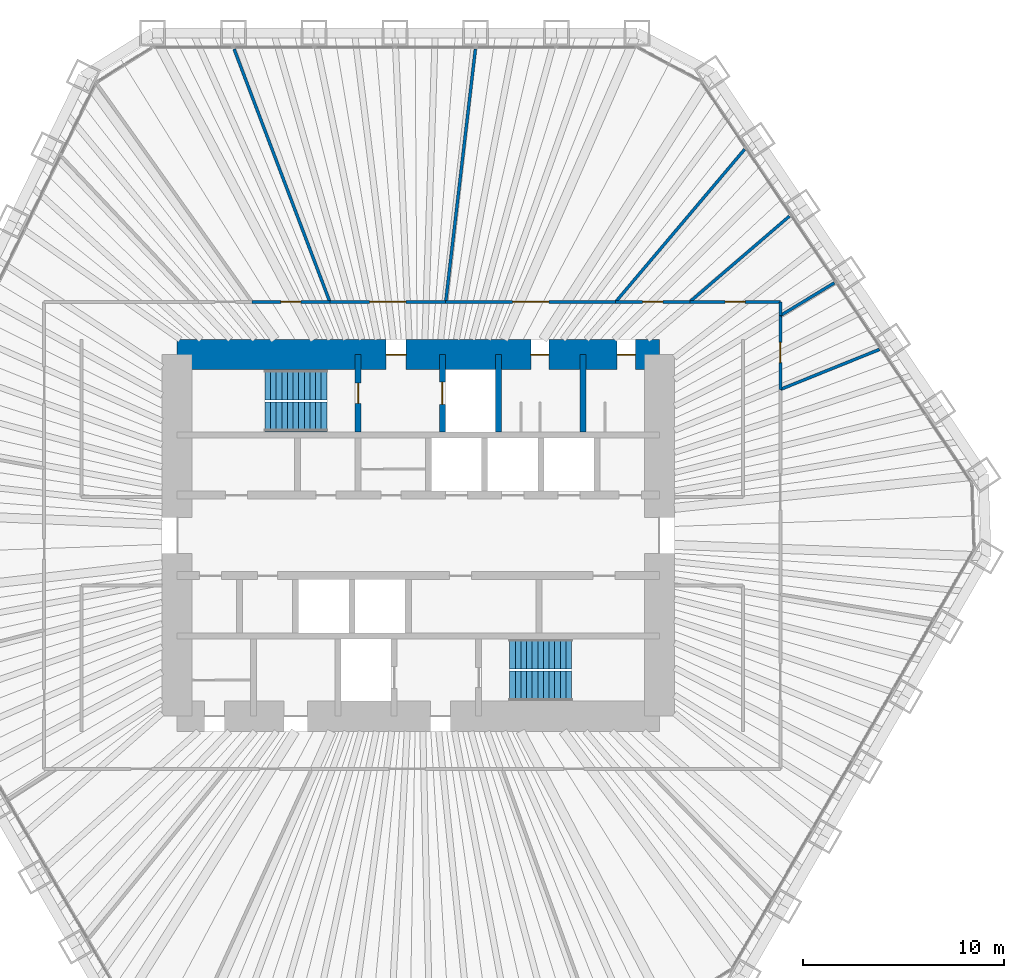
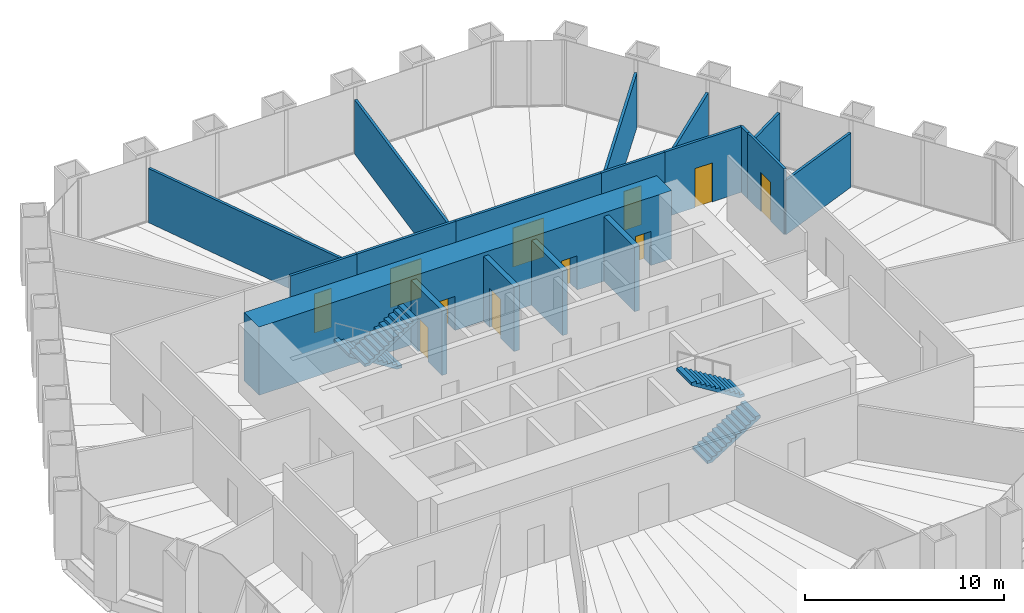
# One storey, part 12 of 13: 18 walls, 11 doors, 4 stair flights, 11 openings, 2 elements without a shape of their own.
"""IFC4 building model written with IfcOpenShell, lengths in metres."""

from ifc_helpers import new_model, si_unit, direction, frame, frame_2d, origin, place, context, subcontext, project, spatial, polyline, rectangle, outline, extrude, material, layer, layer_set, type_object, element, fill, aggregate, save


model = new_model("IFC4")

# Units and contexts
model_context = context("Model", 3, precision=1e-05, world=origin(), true_north=direction((0.0, 1.0)))
body_context = subcontext(model_context, "Body", "Model", "MODEL_VIEW")
ifc_project = project(units=[si_unit("LENGTHUNIT", "METRE"), si_unit("AREAUNIT", "SQUARE_METRE"), si_unit("VOLUMEUNIT", "CUBIC_METRE"), si_unit("PLANEANGLEUNIT", "RADIAN"), si_unit("MASSUNIT", "GRAM", prefix="KILO")], contexts=[model_context])

# Site, building, storey
site_placement = place(None, origin())
site = spatial("IfcSite", under=ifc_project, at=site_placement, CompositionType="ELEMENT")
building_placement = place(site_placement, origin())
building = spatial("IfcBuilding", under=site, at=building_placement, Name="Qingtian Harvest Tower", CompositionType="ELEMENT")
storey_placement = place(building_placement, frame((0.0, 0.0, 149.199951171875)))
storey = spatial("IfcBuildingStorey", under=building, at=storey_placement, Name="L31", CompositionType="ELEMENT", Elevation=149.199951171875)

# Wall, opening, door
ifc_material_1 = material(Name="Precast concrete shaft panel", Category="concrete")
ifc_layer_1 = layer(ifc_material_1, 0.300048828125)
ifc_layer_set_1 = layer_set([ifc_layer_1], Name="Core shaft partition SW1 300")
wall_type_1 = type_object("IfcWallType", Name="Core shaft partition SW1 300", PredefinedType="PARTITIONING", material=ifc_layer_set_1)
wall_1_placement = place(storey_placement, frame((-3.0, 5.14990234375, 0.0), z_axis=(0.0, 0.0, 1.0), x_axis=(0.0, 1.0, 0.0)))
wall_1 = element("IfcWall", 1, at=wall_1_placement, inside=storey, type_object=wall_type_1, Name="Core shaft partition XN1 L31", PredefinedType="PARTITIONING", context=body_context, shape_type="SweptSolid", body=[
    extrude(rectangle(XDim=3.85009765625, YDim=0.300048828125, at=frame_2d((1.925048828125, 0.0))), origin(), (0.0, 0.0, 1.0), 3.97998046875),
])
opening_1_placement = place(wall_1_placement, frame((1.425048828125, 0.0, 0.0)))
opening_1 = element("IfcOpeningElement", 2, at=opening_1_placement, cuts=wall_1, Name="Opening FD1", PredefinedType="OPENING", context=body_context, shape_type="SweptSolid", body=[
    extrude(rectangle(XDim=1.0, YDim=2.10009765625, at=frame_2d((0.5, 1.050048828125))), frame((0.0, 0.159912109375, 0.0), z_axis=(0.0, -1.0, 0.0), x_axis=(1.0, 0.0, 0.0)), (0.0, 0.0, 1.0), 0.320068359375),
])
ifc_material_2 = material(Name="Steel-faced door leaf", Category="steel")
door_type_1 = type_object("IfcDoorType", Name="Fire door FD1 single 1 HR", OperationType="SINGLE_SWING_LEFT", PredefinedType="DOOR", material=ifc_material_2)
door_1_placement = place(opening_1_placement, origin())
door_1 = element("IfcDoor", 3, at=door_1_placement, inside=storey, type_object=door_type_1, Name="S1 door L31", OperationType="SINGLE_SWING_LEFT", OverallHeight=2.10009765625, OverallWidth=1.0, PredefinedType="DOOR", context=body_context, shape_type="SweptSolid", body=[
    extrude(rectangle(XDim=1.0, YDim=2.10009765625, at=frame_2d((0.5, 1.050048828125))), frame((0.0, 0.02490234375, 0.0), z_axis=(0.0, -1.0, 0.0), x_axis=(1.0, 0.0, 0.0)), (0.0, 0.0, 1.0), 0.050048828125),
])
fill(opening_1, door_1)

wall_2_placement = place(storey_placement, frame((1.199951171875, 5.14990234375, 0.0), z_axis=(0.0, 0.0, 1.0), x_axis=(0.0, 1.0, 0.0)))
wall_2 = element("IfcWall", 4, at=wall_2_placement, inside=storey, type_object=wall_type_1, Name="Core shaft partition XN2 L31", PredefinedType="PARTITIONING", context=body_context, shape_type="SweptSolid", body=[
    extrude(rectangle(XDim=3.85009765625, YDim=0.300048828125, at=frame_2d((1.925048828125, 0.0))), origin(), (0.0, 0.0, 1.0), 3.97998046875),
])
opening_2_placement = place(wall_2_placement, frame((1.375, 0.0, 0.0)))
opening_2 = element("IfcOpeningElement", 5, at=opening_2_placement, cuts=wall_2, Name="Opening LD1", PredefinedType="OPENING", context=body_context, shape_type="SweptSolid", body=[
    extrude(rectangle(XDim=1.10009765625, YDim=2.39990234375, at=frame_2d((0.550048828125, 1.199951171875))), frame((0.0, 0.159912109375, 0.0), z_axis=(0.0, -1.0, 0.0), x_axis=(1.0, 0.0, 0.0)), (0.0, 0.0, 1.0), 0.320068359375),
])
ifc_material_3 = material(Name="Stainless steel lift landing door", Category="steel")
door_type_2 = type_object("IfcDoorType", Name="Lift landing door LD1 1 HR", OperationType="DOUBLE_DOOR_SLIDING", PredefinedType="DOOR", material=ifc_material_3)
door_2_placement = place(opening_2_placement, origin())
door_2 = element("IfcDoor", 6, at=door_2_placement, inside=storey, type_object=door_type_2, Name="FL1 landing door L31", OperationType="DOUBLE_DOOR_SLIDING", OverallHeight=2.39990234375, OverallWidth=1.10009765625, PredefinedType="DOOR", context=body_context, shape_type="SweptSolid", body=[
    extrude(rectangle(XDim=1.10009765625, YDim=2.39990234375, at=frame_2d((0.550048828125, 1.199951171875))), frame((0.0, 0.02490234375, 0.0), z_axis=(0.0, -1.0, 0.0), x_axis=(1.0, 0.0, 0.0)), (0.0, 0.0, 1.0), 0.050048828125),
])
fill(opening_2, door_2)

# Walls
for number, where, z_axis, x_axis, name in (
    (7, (4.0, 5.14990234375, 0.0), (0.0, 0.0, 1.0), (0.0, 1.0, 0.0), "Core shaft partition XN3 L31"),
    (8, (8.199951171875, 5.14990234375, 0.0), (0.0, 0.0, 1.0), (0.0, 1.0, 0.0), "Core shaft partition XN4 L31"),
):
    element("IfcWall", number, at=place(storey_placement, frame(where, z_axis=z_axis, x_axis=x_axis)), inside=storey, type_object=wall_type_1, Name=name, PredefinedType="PARTITIONING", context=body_context, shape_type="SweptSolid", body=[
        extrude(rectangle(XDim=3.85009765625, YDim=0.300048828125, at=frame_2d((1.925048828125, 0.0))), origin(), (0.0, 0.0, 1.0), 3.97998046875),
    ])

# Wall, openings, doors
ifc_material_4 = material(Name="Concrete fc' 70 MPa", Category="concrete")
ifc_layer_2 = layer(ifc_material_4, 1.5)
ifc_layer_set_2 = layer_set([ifc_layer_2], Name="Core wall RC1 1500")
wall_type_2 = type_object("IfcWallType", Name="Core wall RC1 1500", PredefinedType="SHEAR", material=ifc_layer_set_2)
wall_3_placement = place(storey_placement, frame((-12.0, 9.0, 0.0), z_axis=(0.0, 0.0, 1.0), x_axis=(1.0, 0.0, 0.0)))
wall_3 = element("IfcWall", 9, at=wall_3_placement, inside=storey, type_object=wall_type_2, Name="Core wall CN L31", PredefinedType="SHEAR", context=body_context, shape_type="SweptSolid", body=[
    extrude(rectangle(XDim=24.0, YDim=1.5, at=frame_2d((12.0, 0.0))), origin(), (0.0, 0.0, 1.0), 4.199951171875),
])
opening_3_placement = place(wall_3_placement, frame((10.39990234375, 0.0, 0.0)))
opening_3 = element("IfcOpeningElement", 10, at=opening_3_placement, cuts=wall_3, Name="Opening FD1", PredefinedType="OPENING", context=body_context, shape_type="SweptSolid", body=[
    extrude(rectangle(XDim=1.0, YDim=2.10009765625, at=frame_2d((0.5, 1.050048828125))), frame((0.0, 0.760009765625, 0.0), z_axis=(0.0, -1.0, 0.0), x_axis=(1.0, 0.0, 0.0)), (0.0, 0.0, 1.0), 1.52001953125),
])
opening_4_placement = place(wall_3_placement, frame((17.60009765625, 0.0, 0.0)))
opening_4 = element("IfcOpeningElement", 11, at=opening_4_placement, cuts=wall_3, Name="Opening D1", PredefinedType="OPENING", context=body_context, shape_type="SweptSolid", body=[
    extrude(rectangle(XDim=0.89990234375, YDim=2.10009765625, at=frame_2d((0.449951171875, 1.050048828125))), frame((0.0, 0.760009765625, 0.0), z_axis=(0.0, -1.0, 0.0), x_axis=(1.0, 0.0, 0.0)), (0.0, 0.0, 1.0), 1.52001953125),
])
opening_5_placement = place(wall_3_placement, frame((21.89990234375, 0.0, 0.0)))
opening_5 = element("IfcOpeningElement", 12, at=opening_5_placement, cuts=wall_3, Name="Opening D1", PredefinedType="OPENING", context=body_context, shape_type="SweptSolid", body=[
    extrude(rectangle(XDim=0.89990234375, YDim=2.10009765625, at=frame_2d((0.449951171875, 1.050048828125))), frame((0.0, 0.760009765625, 0.0), z_axis=(0.0, -1.0, 0.0), x_axis=(1.0, 0.0, 0.0)), (0.0, 0.0, 1.0), 1.52001953125),
])
door_3_placement = place(opening_3_placement, origin())
door_3 = element("IfcDoor", 13, at=door_3_placement, inside=storey, type_object=door_type_1, Name="V1 door L31", OperationType="SINGLE_SWING_LEFT", OverallHeight=2.10009765625, OverallWidth=1.0, PredefinedType="DOOR", context=body_context, shape_type="SweptSolid", body=[
    extrude(rectangle(XDim=1.0, YDim=2.10009765625, at=frame_2d((0.5, 1.050048828125))), frame((0.0, 0.02490234375, 0.0), z_axis=(0.0, -1.0, 0.0), x_axis=(1.0, 0.0, 0.0)), (0.0, 0.0, 1.0), 0.050048828125),
])
fill(opening_3, door_3)
ifc_material_5 = material(Name="Laminated timber door leaf", Category="wood")
door_type_3 = type_object("IfcDoorType", Name="Toilet door D1 single", OperationType="SINGLE_SWING_LEFT", PredefinedType="DOOR", material=ifc_material_5)
door_4_placement = place(opening_4_placement, origin())
door_4 = element("IfcDoor", 14, at=door_4_placement, inside=storey, type_object=door_type_3, Name="WCM door L31", OperationType="SINGLE_SWING_LEFT", OverallHeight=2.10009765625, OverallWidth=0.89990234375, PredefinedType="DOOR", context=body_context, shape_type="SweptSolid", body=[
    extrude(rectangle(XDim=0.89990234375, YDim=2.10009765625, at=frame_2d((0.449951171875, 1.050048828125))), frame((0.0, 0.02490234375, 0.0), z_axis=(0.0, -1.0, 0.0), x_axis=(1.0, 0.0, 0.0)), (0.0, 0.0, 1.0), 0.050048828125),
])
fill(opening_4, door_4)
door_5_placement = place(opening_5_placement, origin())
door_5 = element("IfcDoor", 15, at=door_5_placement, inside=storey, type_object=door_type_3, Name="WCF door L31", OperationType="SINGLE_SWING_LEFT", OverallHeight=2.10009765625, OverallWidth=0.89990234375, PredefinedType="DOOR", context=body_context, shape_type="SweptSolid", body=[
    extrude(rectangle(XDim=0.89990234375, YDim=2.10009765625, at=frame_2d((0.449951171875, 1.050048828125))), frame((0.0, 0.02490234375, 0.0), z_axis=(0.0, -1.0, 0.0), x_axis=(1.0, 0.0, 0.0)), (0.0, 0.0, 1.0), 0.050048828125),
])
fill(opening_5, door_5)

# Wall
ifc_material_6 = material(Name="Gypsum board on steel studs", Category="steel")
ifc_layer_3 = layer(ifc_material_6, 0.14990234375)
ifc_layer_set_3 = layer_set([ifc_layer_3], Name="Partition PT1 150")
wall_type_3 = type_object("IfcWallType", Name="Partition PT1 150", PredefinedType="PARTITIONING", material=ifc_layer_set_3)
wall_4_placement = place(storey_placement, frame((16.2373046875, 19.21044921875, 0.0), z_axis=(0.0, 0.0, 1.0), x_axis=(-0.645526723652, -0.763737683404, 0.0)))
element("IfcWall", 16, at=wall_4_placement, inside=storey, type_object=wall_type_3, Name="Private office wall L31", PredefinedType="PARTITIONING", context=body_context, shape_type="SweptSolid", body=[
    extrude(rectangle(XDim=9.93212890625, YDim=0.14990234375, at=frame_2d((4.966064453125, 0.0))), origin(), (0.0, 0.0, 1.0), 3.330078125),
])

# Wall, opening, door
wall_5_placement = place(storey_placement, frame((9.825927734375, 11.625, 0.0), z_axis=(0.0, 0.0, 1.0), x_axis=(1.0, 0.0, 0.0)))
wall_5 = element("IfcWall", 17, at=wall_5_placement, inside=storey, type_object=wall_type_3, Name="Private office wall L31", PredefinedType="PARTITIONING", context=body_context, shape_type="SweptSolid", body=[
    extrude(rectangle(XDim=3.689453125, YDim=0.14990234375, at=frame_2d((1.8447265625, 0.0))), origin(), (0.0, 0.0, 1.0), 4.030029296875),
])
opening_6_placement = place(wall_5_placement, frame((1.3447265625, 0.0, 0.0)))
opening_6 = element("IfcOpeningElement", 18, at=opening_6_placement, cuts=wall_5, Name="Opening D2", PredefinedType="OPENING", context=body_context, shape_type="SweptSolid", body=[
    extrude(rectangle(XDim=1.0, YDim=2.39990234375, at=frame_2d((0.5, 1.199951171875))), frame((0.0, 0.0849609375, 0.0), z_axis=(0.0, -1.0, 0.0), x_axis=(1.0, 0.0, 0.0)), (0.0, 0.0, 1.0), 0.169921875),
])
ifc_material_7 = material(Name="Laminated timber door leaf", Category="wood")
door_type_4 = type_object("IfcDoorType", Name="Room door D2 single", OperationType="SINGLE_SWING_LEFT", PredefinedType="DOOR", material=ifc_material_7)
door_6_placement = place(opening_6_placement, origin())
door_6 = element("IfcDoor", 19, at=door_6_placement, inside=storey, type_object=door_type_4, Name="Private office door L31", OperationType="SINGLE_SWING_LEFT", OverallHeight=2.39990234375, OverallWidth=1.0, PredefinedType="DOOR", context=body_context, shape_type="SweptSolid", body=[
    extrude(rectangle(XDim=1.0, YDim=2.39990234375, at=frame_2d((0.5, 1.199951171875))), frame((0.0, 0.02490234375, 0.0), z_axis=(0.0, -1.0, 0.0), x_axis=(1.0, 0.0, 0.0)), (0.0, 0.0, 1.0), 0.050048828125),
])
fill(opening_6, door_6)

# Wall
wall_6_placement = place(storey_placement, frame((18.4736328125, 15.8896484375, 0.0), z_axis=(0.0, 0.0, 1.0), x_axis=(-0.758143486665, -0.65208776528, 0.0)))
element("IfcWall", 20, at=wall_6_placement, inside=storey, type_object=wall_type_3, Name="Private office wall L31", PredefinedType="PARTITIONING", context=body_context, shape_type="SweptSolid", body=[
    extrude(rectangle(XDim=6.5400390625, YDim=0.14990234375, at=frame_2d((3.27001953125, 0.0))), origin(), (0.0, 0.0, 1.0), 3.330078125),
])

# Wall, opening, door
wall_7_placement = place(storey_placement, frame((13.515380859375, 11.625, 0.0), z_axis=(0.0, 0.0, 1.0), x_axis=(1.0, 0.0, 0.0)))
wall_7 = element("IfcWall", 21, at=wall_7_placement, inside=storey, type_object=wall_type_3, Name="Private office wall L31", PredefinedType="PARTITIONING", context=body_context, shape_type="SweptSolid", body=[
    extrude(rectangle(XDim=4.509521484375, YDim=0.14990234375, at=frame_2d((2.2548828125, 0.0))), origin(), (0.0, 0.0, 1.0), 4.030029296875),
])
opening_7_placement = place(wall_7_placement, frame((1.7548828125, 0.0, 0.0)))
opening_7 = element("IfcOpeningElement", 22, at=opening_7_placement, cuts=wall_7, Name="Opening D2", PredefinedType="OPENING", context=body_context, shape_type="SweptSolid", body=[
    extrude(rectangle(XDim=1.0, YDim=2.39990234375, at=frame_2d((0.5, 1.199951171875))), frame((0.0, 0.0849609375, 0.0), z_axis=(0.0, -1.0, 0.0), x_axis=(1.0, 0.0, 0.0)), (0.0, 0.0, 1.0), 0.169921875),
])
door_7_placement = place(opening_7_placement, origin())
door_7 = element("IfcDoor", 23, at=door_7_placement, inside=storey, type_object=door_type_4, Name="Private office door L31", OperationType="SINGLE_SWING_RIGHT", OverallHeight=2.39990234375, OverallWidth=1.0, PredefinedType="DOOR", context=body_context, shape_type="SweptSolid", body=[
    extrude(rectangle(XDim=1.0, YDim=2.39990234375, at=frame_2d((0.5, 1.199951171875))), frame((0.0, 0.02490234375, 0.0), z_axis=(0.0, -1.0, 0.0), x_axis=(1.0, 0.0, 0.0)), (0.0, 0.0, 1.0), 0.050048828125),
])
fill(opening_7, door_7)

# Walls
wall_8_placement = place(storey_placement, frame((18.02490234375, 11.625, 0.0), z_axis=(0.0, 0.0, 1.0), x_axis=(0.0, -1.0, 0.0)))
element("IfcWall", 24, at=wall_8_placement, inside=storey, type_object=wall_type_3, Name="Private office wall L31", PredefinedType="PARTITIONING", context=body_context, shape_type="SweptSolid", body=[
    extrude(rectangle(XDim=0.684326171875, YDim=0.14990234375, at=frame_2d((0.34228515625, 0.0))), origin(), (0.0, 0.0, 1.0), 4.030029296875),
])
wall_9_placement = place(storey_placement, frame((20.71142578125, 12.571044921875, 0.0), z_axis=(0.0, 0.0, 1.0), x_axis=(-0.854890890653, -0.518807830587, 0.0)))
element("IfcWall", 25, at=wall_9_placement, inside=storey, type_object=wall_type_3, Name="Private office wall L31", PredefinedType="PARTITIONING", context=body_context, shape_type="SweptSolid", body=[
    extrude(rectangle(XDim=3.142578125, YDim=0.14990234375, at=frame_2d((1.5712890625, 0.0))), origin(), (0.0, 0.0, 1.0), 3.330078125),
])

# Wall, opening, door
wall_10_placement = place(storey_placement, frame((18.02490234375, 10.940673828125, 0.0), z_axis=(0.0, 0.0, 1.0), x_axis=(0.0, -1.0, 0.0)))
wall_10 = element("IfcWall", 26, at=wall_10_placement, inside=storey, type_object=wall_type_3, Name="Private office wall L31", PredefinedType="PARTITIONING", context=body_context, shape_type="SweptSolid", body=[
    extrude(rectangle(XDim=3.67333984375, YDim=0.14990234375, at=frame_2d((1.836669921875, 0.0))), origin(), (0.0, 0.0, 1.0), 4.030029296875),
])
opening_8_placement = place(wall_10_placement, frame((1.336669921875, 0.0, 0.0)))
opening_8 = element("IfcOpeningElement", 27, at=opening_8_placement, cuts=wall_10, Name="Opening D2", PredefinedType="OPENING", context=body_context, shape_type="SweptSolid", body=[
    extrude(rectangle(XDim=1.0, YDim=2.39990234375, at=frame_2d((0.5, 1.199951171875))), frame((0.0, 0.0849609375, 0.0), z_axis=(0.0, -1.0, 0.0), x_axis=(1.0, 0.0, 0.0)), (0.0, 0.0, 1.0), 0.169921875),
])
door_8_placement = place(opening_8_placement, origin())
door_8 = element("IfcDoor", 28, at=door_8_placement, inside=storey, type_object=door_type_4, Name="Private office door L31", OperationType="SINGLE_SWING_RIGHT", OverallHeight=2.39990234375, OverallWidth=1.0, PredefinedType="DOOR", context=body_context, shape_type="SweptSolid", body=[
    extrude(rectangle(XDim=1.0, YDim=2.39990234375, at=frame_2d((0.5, 1.199951171875))), frame((0.0, 0.02490234375, 0.0), z_axis=(0.0, -1.0, 0.0), x_axis=(1.0, 0.0, 0.0)), (0.0, 0.0, 1.0), 0.050048828125),
])
fill(opening_8, door_8)

# Wall
wall_11_placement = place(storey_placement, frame((22.951416015625, 9.253662109375, 0.0), z_axis=(0.0, 0.0, 1.0), x_axis=(-0.927452527427, -0.37394091695, 0.0)))
element("IfcWall", 29, at=wall_11_placement, inside=storey, type_object=wall_type_3, Name="Meeting room wall L31", PredefinedType="PARTITIONING", context=body_context, shape_type="SweptSolid", body=[
    extrude(rectangle(XDim=5.311767578125, YDim=0.14990234375, at=frame_2d((2.65576171875, 0.0))), origin(), (0.0, 0.0, 1.0), 3.330078125),
])

# Wall, opening, door
wall_12_placement = place(storey_placement, frame((-8.276611328125, 11.625, 0.0), z_axis=(0.0, 0.0, 1.0), x_axis=(1.0, 0.0, 0.0)))
wall_12 = element("IfcWall", 30, at=wall_12_placement, inside=storey, type_object=wall_type_3, Name="Private office wall L31", PredefinedType="PARTITIONING", context=body_context, shape_type="SweptSolid", body=[
    extrude(rectangle(XDim=3.8740234375, YDim=0.14990234375, at=frame_2d((1.93701171875, 0.0))), origin(), (0.0, 0.0, 1.0), 4.030029296875),
])
opening_9_placement = place(wall_12_placement, frame((1.43701171875, 0.0, 0.0)))
opening_9 = element("IfcOpeningElement", 31, at=opening_9_placement, cuts=wall_12, Name="Opening D2", PredefinedType="OPENING", context=body_context, shape_type="SweptSolid", body=[
    extrude(rectangle(XDim=1.0, YDim=2.39990234375, at=frame_2d((0.5, 1.199951171875))), frame((0.0, 0.0849609375, 0.0), z_axis=(0.0, -1.0, 0.0), x_axis=(1.0, 0.0, 0.0)), (0.0, 0.0, 1.0), 0.169921875),
])
door_9_placement = place(opening_9_placement, origin())
door_9 = element("IfcDoor", 32, at=door_9_placement, inside=storey, type_object=door_type_4, Name="Private office door L31", OperationType="SINGLE_SWING_RIGHT", OverallHeight=2.39990234375, OverallWidth=1.0, PredefinedType="DOOR", context=body_context, shape_type="SweptSolid", body=[
    extrude(rectangle(XDim=1.0, YDim=2.39990234375, at=frame_2d((0.5, 1.199951171875))), frame((0.0, 0.02490234375, 0.0), z_axis=(0.0, -1.0, 0.0), x_axis=(1.0, 0.0, 0.0)), (0.0, 0.0, 1.0), 0.050048828125),
])
fill(opening_9, door_9)

# Wall
wall_13_placement = place(storey_placement, frame((-9.167236328125, 24.20654296875, 0.0), z_axis=(0.0, 0.0, 1.0), x_axis=(0.354156368181, -0.935186220427, 0.0)))
element("IfcWall", 33, at=wall_13_placement, inside=storey, type_object=wall_type_3, Name="Collaboration lounge wall L31", PredefinedType="PARTITIONING", context=body_context, shape_type="SweptSolid", body=[
    extrude(rectangle(XDim=13.45361328125, YDim=0.14990234375, at=frame_2d((6.726806640625, 0.0))), origin(), (0.0, 0.0, 1.0), 3.330078125),
])

# Wall, opening, door
wall_14_placement = place(storey_placement, frame((-4.402587890625, 11.625, 0.0), z_axis=(0.0, 0.0, 1.0), x_axis=(1.0, 0.0, 0.0)))
wall_14 = element("IfcWall", 34, at=wall_14_placement, inside=storey, type_object=wall_type_3, Name="Collaboration lounge wall L31", PredefinedType="PARTITIONING", context=body_context, shape_type="SweptSolid", body=[
    extrude(rectangle(XDim=5.768310546875, YDim=0.14990234375, at=frame_2d((2.88427734375, 0.0))), origin(), (0.0, 0.0, 1.0), 4.030029296875),
])
opening_10_placement = place(wall_14_placement, frame((1.984130859375, 0.0, 0.0)))
opening_10 = element("IfcOpeningElement", 35, at=opening_10_placement, cuts=wall_14, Name="Opening D3", PredefinedType="OPENING", context=body_context, shape_type="SweptSolid", body=[
    extrude(rectangle(XDim=1.800048828125, YDim=2.39990234375, at=frame_2d((0.89990234375, 1.199951171875))), frame((0.0, 0.0849609375, 0.0), z_axis=(0.0, -1.0, 0.0), x_axis=(1.0, 0.0, 0.0)), (0.0, 0.0, 1.0), 0.169921875),
])
ifc_material_8 = material(Name="Laminated timber door leaf", Category="wood")
door_type_5 = type_object("IfcDoorType", Name="Room door D3 double", OperationType="DOUBLE_DOOR_DOUBLE_SWING", PredefinedType="DOOR", material=ifc_material_8)
door_10_placement = place(opening_10_placement, origin())
door_10 = element("IfcDoor", 36, at=door_10_placement, inside=storey, type_object=door_type_5, Name="Collaboration lounge door L31", OperationType="DOUBLE_DOOR_DOUBLE_SWING", OverallHeight=2.39990234375, OverallWidth=1.800048828125, PredefinedType="DOOR", context=body_context, shape_type="SweptSolid", body=[
    extrude(rectangle(XDim=1.800048828125, YDim=2.39990234375, at=frame_2d((0.89990234375, 1.199951171875))), frame((0.0, 0.02490234375, 0.0), z_axis=(0.0, -1.0, 0.0), x_axis=(1.0, 0.0, 0.0)), (0.0, 0.0, 1.0), 0.050048828125),
])
fill(opening_10, door_10)

# Wall
wall_15_placement = place(storey_placement, frame((2.843017578125, 24.20068359375, 0.0), z_axis=(0.0, 0.0, 1.0), x_axis=(-0.116670084723, -0.993170726175, 0.0)))
element("IfcWall", 37, at=wall_15_placement, inside=storey, type_object=wall_type_3, Name="Workplace zone wall L31", PredefinedType="PARTITIONING", context=body_context, shape_type="SweptSolid", body=[
    extrude(rectangle(XDim=12.662109375, YDim=0.14990234375, at=frame_2d((6.3310546875, 0.0))), origin(), (0.0, 0.0, 1.0), 3.330078125),
])

# Wall, opening, door
wall_16_placement = place(storey_placement, frame((1.36572265625, 11.625, 0.0), z_axis=(0.0, 0.0, 1.0), x_axis=(1.0, 0.0, 0.0)))
wall_16 = element("IfcWall", 38, at=wall_16_placement, inside=storey, type_object=wall_type_3, Name="Workplace zone wall L31", PredefinedType="PARTITIONING", context=body_context, shape_type="SweptSolid", body=[
    extrude(rectangle(XDim=8.460205078125, YDim=0.14990234375, at=frame_2d((4.22998046875, 0.0))), origin(), (0.0, 0.0, 1.0), 4.030029296875),
])
opening_11_placement = place(wall_16_placement, frame((3.330078125, 0.0, 0.0)))
opening_11 = element("IfcOpeningElement", 39, at=opening_11_placement, cuts=wall_16, Name="Opening D3", PredefinedType="OPENING", context=body_context, shape_type="SweptSolid", body=[
    extrude(rectangle(XDim=1.800048828125, YDim=2.39990234375, at=frame_2d((0.89990234375, 1.199951171875))), frame((0.0, 0.0849609375, 0.0), z_axis=(0.0, -1.0, 0.0), x_axis=(1.0, 0.0, 0.0)), (0.0, 0.0, 1.0), 0.169921875),
])
door_11_placement = place(opening_11_placement, origin())
door_11 = element("IfcDoor", 40, at=door_11_placement, inside=storey, type_object=door_type_5, Name="Workplace zone door L31", OperationType="DOUBLE_DOOR_DOUBLE_SWING", OverallHeight=2.39990234375, OverallWidth=1.800048828125, PredefinedType="DOOR", context=body_context, shape_type="SweptSolid", body=[
    extrude(rectangle(XDim=1.800048828125, YDim=2.39990234375, at=frame_2d((0.89990234375, 1.199951171875))), frame((0.0, 0.02490234375, 0.0), z_axis=(0.0, -1.0, 0.0), x_axis=(1.0, 0.0, 0.0)), (0.0, 0.0, 1.0), 0.050048828125),
])
fill(opening_11, door_11)

# Stair, stair flights
ifc_material_9 = material(Name="Concrete fc' 35 MPa", Category="concrete")
stair_type = type_object("IfcStairType", Name="Special stair ST3 4200", PredefinedType="HALF_TURN_STAIR", material=ifc_material_9)
stair_1_placement = place(storey_placement, origin())
stair_1 = element("IfcStair", 41, at=stair_1_placement, inside=storey, type_object=stair_type, Name="Special stair S1 L31", PredefinedType="HALF_TURN_STAIR")
ifc_material_10 = material(Name="Concrete fc' 35 MPa", Category="concrete")
stair_flight_type = type_object("IfcStairFlightType", Name="Stair flight SF3 4200", PredefinedType="STRAIGHT", material=ifc_material_10)
stair_flight_1_placement = place(storey_placement, frame((-4.550048828125, 7.5, 0.0), z_axis=(0.0, 0.0, 1.0), x_axis=(-1.0, 0.0, 0.0)))
stair_flight_1 = element("IfcStairFlight", 42, at=stair_flight_1_placement, type_object=stair_flight_type, Name="S1 flight 1", NumberOfRisers=12, NumberOfTreads=11, PredefinedType="STRAIGHT", RiserHeight=0.175, TreadLength=0.28, context=body_context, shape_type="SweptSolid", body=[
    extrude(outline(polyline([(0.0, 0.0), (0.0, 0.175048828125), (0.280029296875, 0.175048828125), (0.280029296875, 0.35009765625), (0.56005859375, 0.35009765625), (0.56005859375, 0.52490234375), (0.840087890625, 0.52490234375), (0.840087890625, 0.699951171875), (1.1201171875, 0.699951171875), (1.1201171875, 0.875), (1.39990234375, 0.875), (1.39990234375, 1.050048828125), (1.679931640625, 1.050048828125), (1.679931640625, 1.22509765625), (1.9599609375, 1.22509765625), (1.9599609375, 1.39990234375), (2.239990234375, 1.39990234375), (2.239990234375, 1.574951171875), (2.52001953125, 1.574951171875), (2.52001953125, 1.75), (2.800048828125, 1.75), (2.800048828125, 1.925048828125), (3.080078125, 1.925048828125), (3.080078125, 2.10009765625), (3.080078125, 1.748291015625), (0.28271484375, 0.0), (0.0, 0.0)])), frame((0.0, 0.75, 0.0), z_axis=(0.0, -1.0, 0.0), x_axis=(1.0, 0.0, 0.0)), (0.0, 0.0, 1.0), 1.5),
])
stair_flight_2_placement = place(storey_placement, frame((-7.6298828125, 5.89990234375, 2.10009765625), z_axis=(0.0, 0.0, 1.0), x_axis=(1.0, 0.0, 0.0)))
stair_flight_2 = element("IfcStairFlight", 43, at=stair_flight_2_placement, type_object=stair_flight_type, Name="S1 flight 2", NumberOfRisers=12, NumberOfTreads=11, PredefinedType="STRAIGHT", RiserHeight=0.175, TreadLength=0.28, context=body_context, shape_type="SweptSolid", body=[
    extrude(outline(polyline([(0.0, 0.0), (0.0, 0.175048828125), (0.280029296875, 0.175048828125), (0.280029296875, 0.35009765625), (0.56005859375, 0.35009765625), (0.56005859375, 0.52490234375), (0.840087890625, 0.52490234375), (0.840087890625, 0.699951171875), (1.1201171875, 0.699951171875), (1.1201171875, 0.875), (1.39990234375, 0.875), (1.39990234375, 1.050048828125), (1.679931640625, 1.050048828125), (1.679931640625, 1.22509765625), (1.9599609375, 1.22509765625), (1.9599609375, 1.39990234375), (2.239990234375, 1.39990234375), (2.239990234375, 1.574951171875), (2.52001953125, 1.574951171875), (2.52001953125, 1.75), (2.800048828125, 1.75), (2.800048828125, 1.925048828125), (3.080078125, 1.925048828125), (3.080078125, 2.10009765625), (3.080078125, 1.748291015625), (0.28271484375, 0.0), (0.0, 0.0)])), frame((0.0, 0.75, 0.0), z_axis=(0.0, -1.0, 0.0), x_axis=(1.0, 0.0, 0.0)), (0.0, 0.0, 1.0), 1.5),
])
aggregate(stair_1, [stair_flight_1, stair_flight_2])

stair_2_placement = place(storey_placement, origin())
stair_2 = element("IfcStair", 44, at=stair_2_placement, inside=storey, type_object=stair_type, Name="Special stair S2 L31", PredefinedType="HALF_TURN_STAIR")
stair_flight_3_placement = place(storey_placement, frame((4.550048828125, -7.5, 0.0), z_axis=(0.0, 0.0, 1.0), x_axis=(1.0, 0.0, 0.0)))
stair_flight_3 = element("IfcStairFlight", 45, at=stair_flight_3_placement, type_object=stair_flight_type, Name="S2 flight 1", NumberOfRisers=12, NumberOfTreads=11, PredefinedType="STRAIGHT", RiserHeight=0.175, TreadLength=0.28, context=body_context, shape_type="SweptSolid", body=[
    extrude(outline(polyline([(0.0, 0.0), (0.0, 0.175048828125), (0.280029296875, 0.175048828125), (0.280029296875, 0.35009765625), (0.56005859375, 0.35009765625), (0.56005859375, 0.52490234375), (0.840087890625, 0.52490234375), (0.840087890625, 0.699951171875), (1.1201171875, 0.699951171875), (1.1201171875, 0.875), (1.39990234375, 0.875), (1.39990234375, 1.050048828125), (1.679931640625, 1.050048828125), (1.679931640625, 1.22509765625), (1.9599609375, 1.22509765625), (1.9599609375, 1.39990234375), (2.239990234375, 1.39990234375), (2.239990234375, 1.574951171875), (2.52001953125, 1.574951171875), (2.52001953125, 1.75), (2.800048828125, 1.75), (2.800048828125, 1.925048828125), (3.080078125, 1.925048828125), (3.080078125, 2.10009765625), (3.080078125, 1.748291015625), (0.28271484375, 0.0), (0.0, 0.0)])), frame((0.0, 0.75, 0.0), z_axis=(0.0, -1.0, 0.0), x_axis=(1.0, 0.0, 0.0)), (0.0, 0.0, 1.0), 1.5),
])
stair_flight_4_placement = place(storey_placement, frame((7.6298828125, -5.89990234375, 2.10009765625), z_axis=(0.0, 0.0, 1.0), x_axis=(-1.0, 0.0, 0.0)))
stair_flight_4 = element("IfcStairFlight", 46, at=stair_flight_4_placement, type_object=stair_flight_type, Name="S2 flight 2", NumberOfRisers=12, NumberOfTreads=11, PredefinedType="STRAIGHT", RiserHeight=0.175, TreadLength=0.28, context=body_context, shape_type="SweptSolid", body=[
    extrude(outline(polyline([(0.0, 0.0), (0.0, 0.175048828125), (0.280029296875, 0.175048828125), (0.280029296875, 0.35009765625), (0.56005859375, 0.35009765625), (0.56005859375, 0.52490234375), (0.840087890625, 0.52490234375), (0.840087890625, 0.699951171875), (1.1201171875, 0.699951171875), (1.1201171875, 0.875), (1.39990234375, 0.875), (1.39990234375, 1.050048828125), (1.679931640625, 1.050048828125), (1.679931640625, 1.22509765625), (1.9599609375, 1.22509765625), (1.9599609375, 1.39990234375), (2.239990234375, 1.39990234375), (2.239990234375, 1.574951171875), (2.52001953125, 1.574951171875), (2.52001953125, 1.75), (2.800048828125, 1.75), (2.800048828125, 1.925048828125), (3.080078125, 1.925048828125), (3.080078125, 2.10009765625), (3.080078125, 1.748291015625), (0.28271484375, 0.0), (0.0, 0.0)])), frame((0.0, 0.75, 0.0), z_axis=(0.0, -1.0, 0.0), x_axis=(1.0, 0.0, 0.0)), (0.0, 0.0, 1.0), 1.5),
])
aggregate(stair_2, [stair_flight_3, stair_flight_4])

save(model, "model.ifc")
